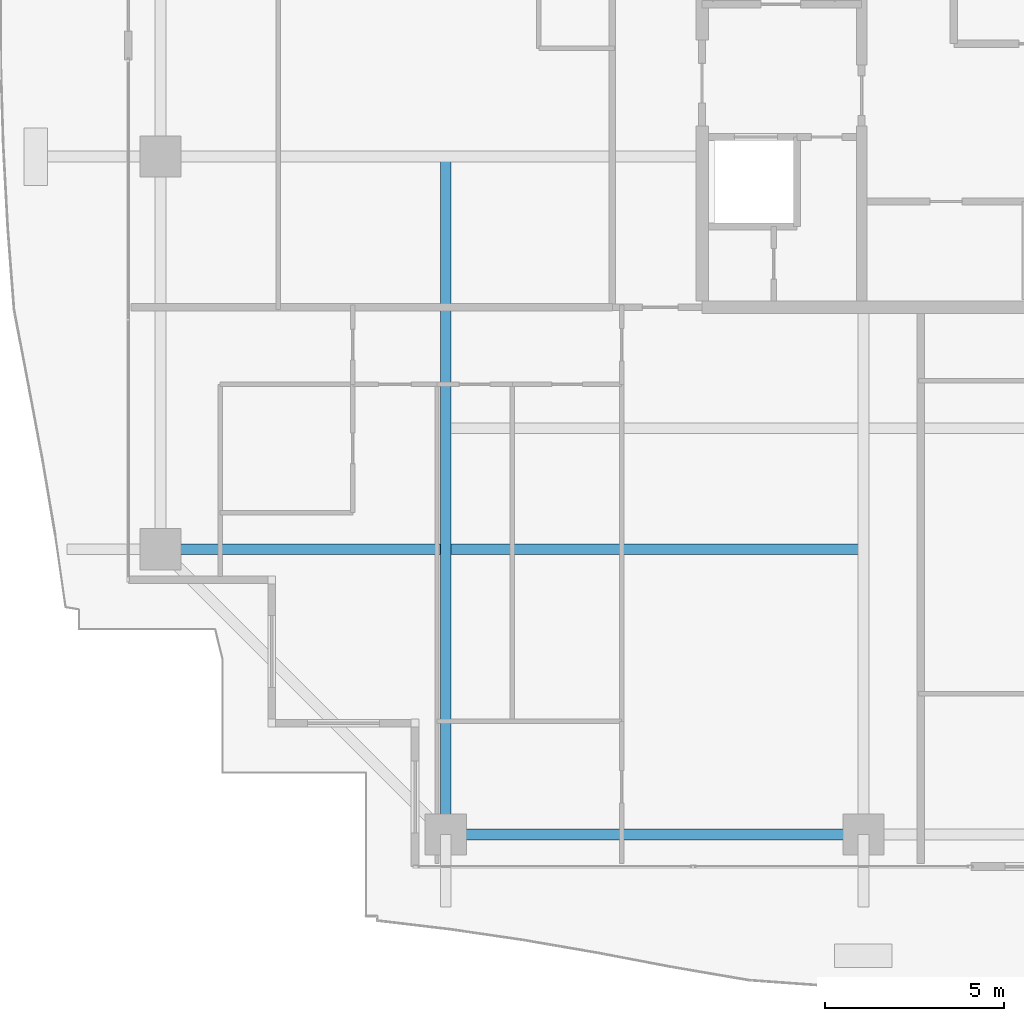
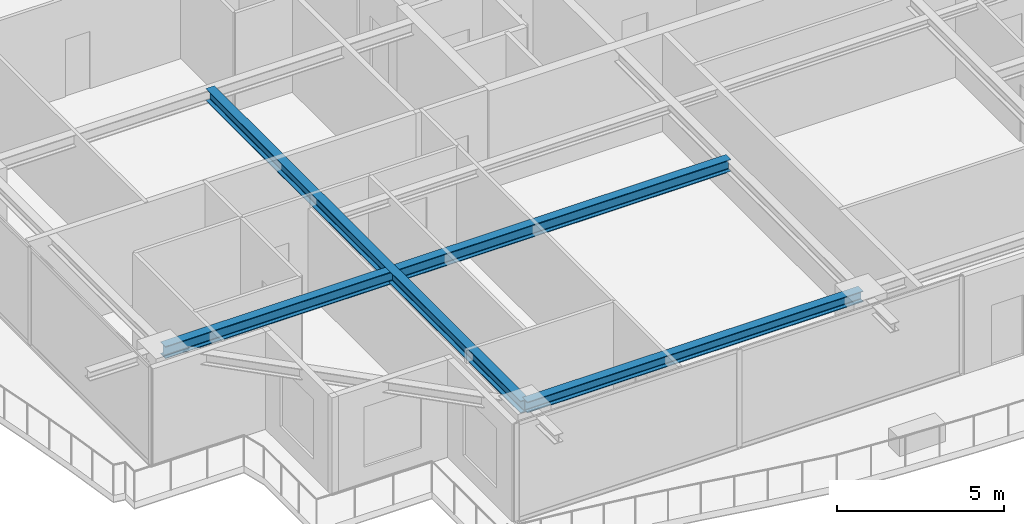
# One storey, part 4 of 37: 3 beams.
"""IFC4 building model written with IfcOpenShell, lengths in metres."""

from ifc_helpers import new_model, si_unit, direction, frame, origin, origin_2d, place, context, subcontext, project, spatial, i_section, extrude, source, transform, mapped, material, material_profile, profile_set, type_object, element, save


model = new_model("IFC4")

# Units and contexts
model_context = context("Model", 3, precision=1e-05, world=origin(), true_north=direction((0.0, 1.0)))
body_context = subcontext(model_context, "Body", "Model", "MODEL_VIEW")
ifc_project = project(units=[si_unit("LENGTHUNIT", "METRE"), si_unit("AREAUNIT", "SQUARE_METRE"), si_unit("VOLUMEUNIT", "CUBIC_METRE"), si_unit("PLANEANGLEUNIT", "RADIAN"), si_unit("MASSUNIT", "GRAM", prefix="KILO")], contexts=[model_context])

# Site, building, storey
site_placement = place(None, origin())
site = spatial("IfcSite", under=ifc_project, at=site_placement, CompositionType="ELEMENT")
building_placement = place(site_placement, origin())
building = spatial("IfcBuilding", under=site, at=building_placement, Name="Serunith Strait Residences", CompositionType="ELEMENT")
storey_placement = place(building_placement, frame((0.0, 0.0, 218.14990234375)))
storey = spatial("IfcBuildingStorey", under=building, at=storey_placement, Name="L54", CompositionType="ELEMENT", Elevation=218.14990234375)

# Beams
ifc_material = material(Name="Steel S355J2", Category="steel")
ifc_material_profile_1 = material_profile(ifc_material, i_section(OverallWidth=0.300048828125, OverallDepth=0.449951171875, WebThickness=0.013916015625, FlangeThickness=0.02587890625, FilletRadius=0.027099609375, at=origin_2d()), Name="HEB 450")
ifc_profile_set_1 = profile_set([ifc_material_profile_1], Name="Steel S355J2")
beam_type_1 = type_object("IfcBeamType", Name="BM-HEB450", PredefinedType="BEAM", material=ifc_profile_set_1)
shared_shape_1 = source(origin(), body_context, "Body", "SweptSolid", [
    extrude(i_section(OverallWidth=0.300048828125, OverallDepth=0.449951171875, WebThickness=0.013916015625, FlangeThickness=0.02587890625, FilletRadius=0.027099609375, at=origin_2d()), origin(), (0.0, 0.0, 1.0), 18.89990234375),
])
beam_1_placement = place(storey_placement, frame((16.25, 21.0, 3.362060546875), z_axis=(0.0, -1.0, 0.0), x_axis=(1.0, 0.0, 0.0)))
element("IfcBeam", 1, at=beam_1_placement, inside=storey, type_object=beam_type_1, Name="L54 Orthogonal Corner Girder TC-S1", PredefinedType="BEAM", context=body_context, shape_type="MappedRepresentation", body=[
    mapped(shared_shape_1, transform((0.0, 0.0, 0.0), scale=1.0)),
])
shared_shape_2 = source(origin(), body_context, "Body", "SweptSolid", [
    extrude(i_section(OverallWidth=0.300048828125, OverallDepth=0.449951171875, WebThickness=0.013916015625, FlangeThickness=0.02587890625, FilletRadius=0.027099609375, at=origin_2d()), origin(), (0.0, 0.0, 1.0), 19.599853515625),
])
beam_2_placement = place(storey_placement, frame((27.89990234375, 10.050048828125, 3.362060546875), z_axis=(-1.0, 0.0, 0.0), x_axis=(0.0, -1.0, 0.0)))
element("IfcBeam", 2, at=beam_2_placement, inside=storey, type_object=beam_type_1, Name="L54 Orthogonal Corner Girder TC-W1", PredefinedType="BEAM", context=body_context, shape_type="MappedRepresentation", body=[
    mapped(shared_shape_2, transform((0.0, 0.0, 0.0), scale=1.0)),
])
ifc_material_profile_2 = material_profile(ifc_material, i_section(OverallWidth=0.300048828125, OverallDepth=0.39990234375, WebThickness=0.013427734375, FlangeThickness=0.02392578125, FilletRadius=0.027099609375, at=origin_2d()), Name="HEB 400")
ifc_profile_set_2 = profile_set([ifc_material_profile_2], Name="Steel S355J2")
beam_type_2 = type_object("IfcBeamType", Name="BM-HEB400", PredefinedType="BEAM", material=ifc_profile_set_2)
shared_shape_3 = source(origin(), body_context, "Body", "SweptSolid", [
    extrude(i_section(OverallWidth=0.300048828125, OverallDepth=0.39990234375, WebThickness=0.013427734375, FlangeThickness=0.02392578125, FilletRadius=0.027099609375, at=origin_2d()), origin(), (0.0, 0.0, 1.0), 11.64990234375),
])
beam_3_placement = place(storey_placement, frame((16.25, 2.10009765625, 3.38720703125), z_axis=(1.0, 0.0, 0.0), x_axis=(0.0, 1.0, 0.0)))
element("IfcBeam", 3, at=beam_3_placement, inside=storey, type_object=beam_type_2, Name="L54 Perimeter Ring Beam 01", PredefinedType="BEAM", context=body_context, shape_type="MappedRepresentation", body=[
    mapped(shared_shape_3, transform((0.0, 0.0, 0.0), scale=1.0)),
])

save(model, "model.ifc")
